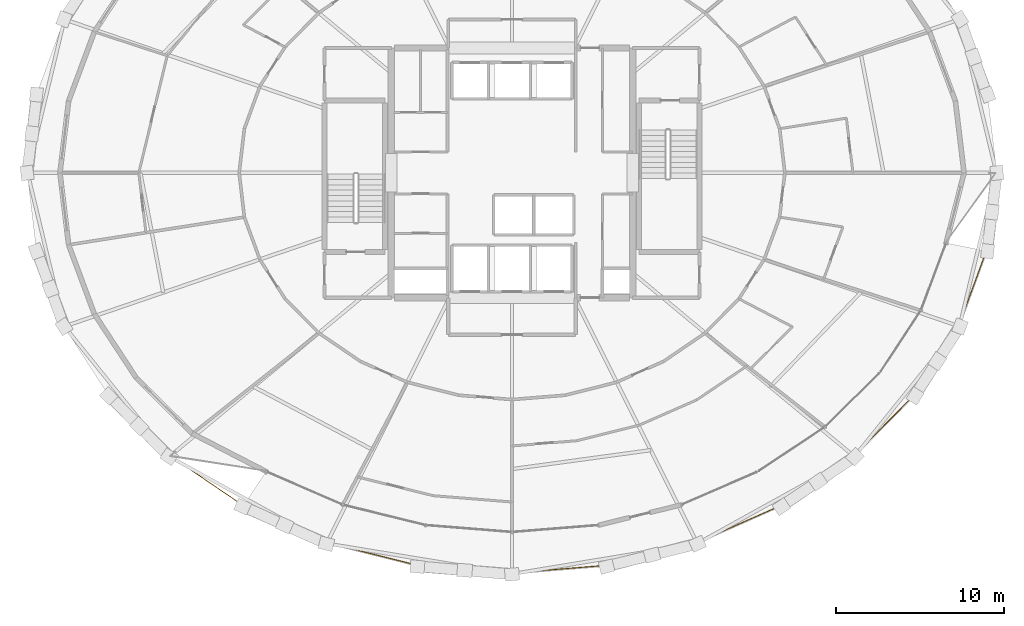
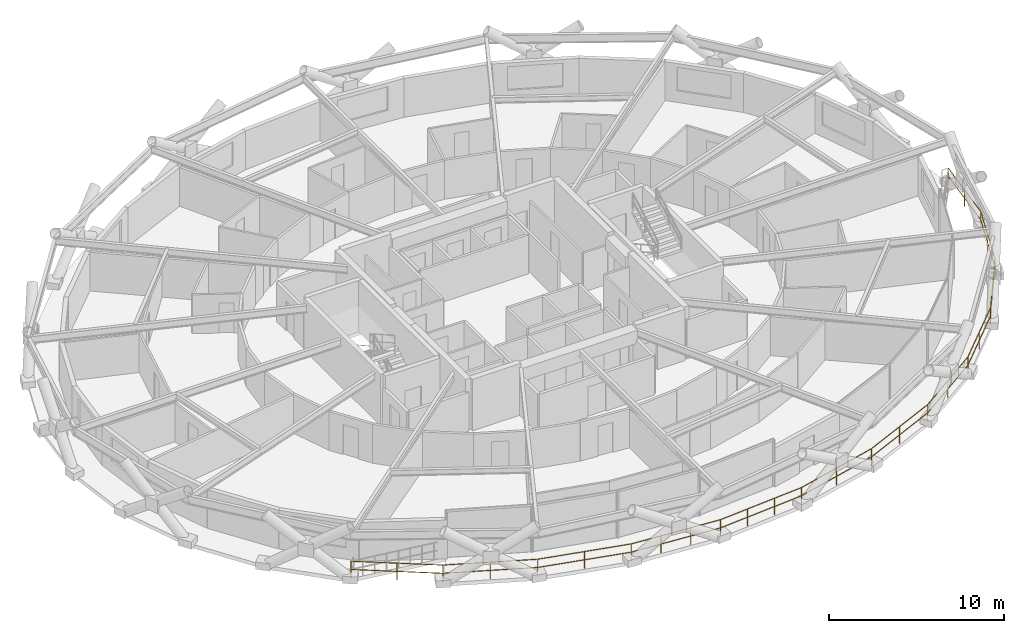
# One storey, part 20 of 21: 1 railing.
"""IFC4 building model written with IfcOpenShell, lengths in metres."""

from ifc_helpers import new_model, si_unit, direction, frame, origin, origin_2d, place, context, subcontext, project, spatial, circle, extrude, material, type_object, element, save


model = new_model("IFC4")

# Units and contexts
model_context = context("Model", 3, precision=1e-05, world=origin(), true_north=direction((0.0, 1.0)))
body_context = subcontext(model_context, "Body", "Model", "MODEL_VIEW")
ifc_project = project(units=[si_unit("LENGTHUNIT", "METRE"), si_unit("AREAUNIT", "SQUARE_METRE"), si_unit("VOLUMEUNIT", "CUBIC_METRE"), si_unit("PLANEANGLEUNIT", "RADIAN"), si_unit("MASSUNIT", "GRAM", prefix="KILO")], contexts=[model_context])

# Site, building, storey
site_placement = place(None, origin())
site = spatial("IfcSite", under=ifc_project, at=site_placement, CompositionType="ELEMENT")
building_placement = place(site_placement, origin())
building = spatial("IfcBuilding", under=site, at=building_placement, Name="Veldorina Hangang Commons", CompositionType="ELEMENT")
storey_placement = place(building_placement, frame((0.0, 0.0, 91.60009765625)))
storey = spatial("IfcBuildingStorey", under=building, at=storey_placement, Name="L23", CompositionType="ELEMENT", Elevation=91.60009765625)

# Railing
ifc_material = material(Name="Glass Laminated Safety Balustrade", Category="glass")
railing_type = type_object("IfcRailingType", Name="RL-BAL-LOGGIA", PredefinedType="BALUSTRADE", material=ifc_material)
railing_placement = place(storey_placement, frame((11.611083984375, 7.119384765625, 0.0)))
element("IfcRailing", 1, at=railing_placement, inside=storey, type_object=railing_type, Name="L23 sky-garden loggia outer balustrade", PredefinedType="BALUSTRADE", context=body_context, shape_type="SweptSolid", body=[
    extrude(circle(Radius=0.02392578125, at=origin_2d()), frame((0.0, 0.0, 1.17578125), z_axis=(0.827450467188, -0.561538711355, 0.0), x_axis=(0.561538711355, 0.827450467188, 0.0)), (0.0, 0.0, 1.0), 5.282958984375),
    extrude(circle(Radius=0.02392578125, at=origin_2d()), frame((0.0, 0.0, 0.60009765625), z_axis=(0.827450467188, -0.561538711355, 0.0), x_axis=(0.561538711355, 0.827450467188, 0.0)), (0.0, 0.0, 1.0), 5.282958984375),
    extrude(circle(Radius=0.02392578125, at=origin_2d()), frame((4.371337890625, -2.966552734375, 1.17578125), z_axis=(0.914640775393, -0.404267550007, 0.0), x_axis=(0.404267550007, 0.914640775393, 0.0)), (0.0, 0.0, 1.0), 5.450927734375),
    extrude(circle(Radius=0.02392578125, at=origin_2d()), frame((4.371337890625, -2.966552734375, 0.60009765625), z_axis=(0.914640775393, -0.404267550007, 0.0), x_axis=(0.404267550007, 0.914640775393, 0.0)), (0.0, 0.0, 1.0), 5.450927734375),
    extrude(circle(Radius=0.02392578125, at=origin_2d()), frame((9.35693359375, -5.170166015625, 1.17578125), z_axis=(0.96996969007, -0.24322582171, 0.0), x_axis=(0.24322582171, 0.96996969007, 0.0)), (0.0, 0.0, 1.0), 5.575927734375),
    extrude(circle(Radius=0.02392578125, at=origin_2d()), frame((9.35693359375, -5.170166015625, 0.60009765625), z_axis=(0.96996969007, -0.24322582171, 0.0), x_axis=(0.24322582171, 0.96996969007, 0.0)), (0.0, 0.0, 1.0), 5.575927734375),
    extrude(circle(Radius=0.02392578125, at=origin_2d()), frame((14.765380859375, -6.5263671875, 1.17578125), z_axis=(0.996699779955, -0.08117603487, 0.0), x_axis=(0.08117603487, 0.996699779955, 0.0)), (0.0, 0.0, 1.0), 5.64208984375),
    extrude(circle(Radius=0.02392578125, at=origin_2d()), frame((14.765380859375, -6.5263671875, 0.60009765625), z_axis=(0.996699779955, -0.08117603487, 0.0), x_axis=(0.08117603487, 0.996699779955, 0.0)), (0.0, 0.0, 1.0), 5.64208984375),
    extrude(circle(Radius=0.02392578125, at=origin_2d()), frame((20.388916015625, -6.984375, 1.17578125), z_axis=(0.996699779955, 0.08117603487, 0.0), x_axis=(-0.08117603487, 0.996699779955, 0.0)), (0.0, 0.0, 1.0), 5.64208984375),
    extrude(circle(Radius=0.02392578125, at=origin_2d()), frame((20.388916015625, -6.984375, 0.60009765625), z_axis=(0.996699779955, 0.08117603487, 0.0), x_axis=(-0.08117603487, 0.996699779955, 0.0)), (0.0, 0.0, 1.0), 5.64208984375),
    extrude(circle(Radius=0.02392578125, at=origin_2d()), frame((26.012451171875, -6.5263671875, 1.17578125), z_axis=(0.96996969007, 0.24322582171, 0.0), x_axis=(-0.24322582171, 0.96996969007, 0.0)), (0.0, 0.0, 1.0), 5.575927734375),
    extrude(circle(Radius=0.02392578125, at=origin_2d()), frame((26.012451171875, -6.5263671875, 0.60009765625), z_axis=(0.96996969007, 0.24322582171, 0.0), x_axis=(-0.24322582171, 0.96996969007, 0.0)), (0.0, 0.0, 1.0), 5.575927734375),
    extrude(circle(Radius=0.02392578125, at=origin_2d()), frame((31.4208984375, -5.170166015625, 1.17578125), z_axis=(0.914640775393, 0.404267550007, 0.0), x_axis=(-0.404267550007, 0.914640775393, 0.0)), (0.0, 0.0, 1.0), 5.450927734375),
    extrude(circle(Radius=0.02392578125, at=origin_2d()), frame((31.4208984375, -5.170166015625, 0.60009765625), z_axis=(0.914640775393, 0.404267550007, 0.0), x_axis=(-0.404267550007, 0.914640775393, 0.0)), (0.0, 0.0, 1.0), 5.450927734375),
    extrude(circle(Radius=0.02392578125, at=origin_2d()), frame((36.406494140625, -2.966552734375, 1.17578125), z_axis=(0.827450467188, 0.561538711355, 0.0), x_axis=(-0.561538711355, 0.827450467188, 0.0)), (0.0, 0.0, 1.0), 5.282958984375),
    extrude(circle(Radius=0.02392578125, at=origin_2d()), frame((36.406494140625, -2.966552734375, 0.60009765625), z_axis=(0.827450467188, 0.561538711355, 0.0), x_axis=(-0.561538711355, 0.827450467188, 0.0)), (0.0, 0.0, 1.0), 5.282958984375),
    extrude(circle(Radius=0.02392578125, at=origin_2d()), frame((40.77783203125, 0.0, 1.17578125), z_axis=(0.704369903101, 0.709833106867, 0.0), x_axis=(-0.709833106867, 0.704369903101, 0.0)), (0.0, 0.0, 1.0), 5.094482421875),
    extrude(circle(Radius=0.02392578125, at=origin_2d()), frame((40.77783203125, 0.0, 0.60009765625), z_axis=(0.704369903101, 0.709833106867, 0.0), x_axis=(-0.709833106867, 0.704369903101, 0.0)), (0.0, 0.0, 1.0), 5.094482421875),
    extrude(circle(Radius=0.02392578125, at=origin_2d()), frame((44.3662109375, 3.6162109375, 1.17578125), z_axis=(0.54276499574, 0.839884610765, 0.0), x_axis=(-0.839884610765, 0.54276499574, 0.0)), (0.0, 0.0, 1.0), 4.913818359375),
    extrude(circle(Radius=0.02392578125, at=origin_2d()), frame((44.3662109375, 3.6162109375, 0.60009765625), z_axis=(0.54276499574, 0.839884610765, 0.0), x_axis=(-0.839884610765, 0.54276499574, 0.0)), (0.0, 0.0, 1.0), 4.913818359375),
    extrude(circle(Radius=0.02392578125, at=origin_2d()), frame((47.033203125, 7.7431640625, 1.17578125), z_axis=(0.344305773581, 0.938857568686, 0.0), x_axis=(-0.938857568686, 0.344305773581, 0.0)), (0.0, 0.0, 1.0), 4.770751953125),
    extrude(circle(Radius=0.02392578125, at=origin_2d()), frame((47.033203125, 7.7431640625, 0.60009765625), z_axis=(0.344305773581, 0.938857568686, 0.0), x_axis=(-0.938857568686, 0.344305773581, 0.0)), (0.0, 0.0, 1.0), 4.770751953125),
    extrude(circle(Radius=0.02392578125, at=origin_2d()), frame((48.67578125, 12.22216796875, 1.17578125), z_axis=(0.118236102916, 0.992985510452, 0.0), x_axis=(-0.992985510452, 0.118236102916, 0.0)), (0.0, 0.0, 1.0), 4.69140625),
    extrude(circle(Radius=0.02392578125, at=origin_2d()), frame((48.67578125, 12.22216796875, 0.60009765625), z_axis=(0.118236102916, 0.992985510452, 0.0), x_axis=(-0.992985510452, 0.118236102916, 0.0)), (0.0, 0.0, 1.0), 4.69140625),
    extrude(circle(Radius=0.02099609375, at=origin_2d()), origin(), (0.0, 0.0, 1.0), 1.15185546875),
    extrude(circle(Radius=0.02099609375, at=origin_2d()), frame((2.185546875, -1.4833984375, 0.0)), (0.0, 0.0, 1.0), 1.15185546875),
    extrude(circle(Radius=0.02099609375, at=origin_2d()), frame((4.371337890625, -2.966552734375, 0.0)), (0.0, 0.0, 1.0), 1.15185546875),
    extrude(circle(Radius=0.02099609375, at=origin_2d()), frame((6.8642578125, -4.068359375, 0.0)), (0.0, 0.0, 1.0), 1.15185546875),
    extrude(circle(Radius=0.02099609375, at=origin_2d()), frame((9.35693359375, -5.170166015625, 0.0)), (0.0, 0.0, 1.0), 1.15185546875),
    extrude(circle(Radius=0.02099609375, at=origin_2d()), frame((12.06103515625, -5.84814453125, 0.0)), (0.0, 0.0, 1.0), 1.15185546875),
    extrude(circle(Radius=0.02099609375, at=origin_2d()), frame((14.765380859375, -6.5263671875, 0.0)), (0.0, 0.0, 1.0), 1.15185546875),
    extrude(circle(Radius=0.02099609375, at=origin_2d()), frame((16.639892578125, -6.678955078125, 0.0)), (0.0, 0.0, 1.0), 1.15185546875),
    extrude(circle(Radius=0.02099609375, at=origin_2d()), frame((18.514404296875, -6.831787109375, 0.0)), (0.0, 0.0, 1.0), 1.15185546875),
    extrude(circle(Radius=0.02099609375, at=origin_2d()), frame((20.388916015625, -6.984375, 0.0)), (0.0, 0.0, 1.0), 1.15185546875),
    extrude(circle(Radius=0.02099609375, at=origin_2d()), frame((22.263427734375, -6.831787109375, 0.0)), (0.0, 0.0, 1.0), 1.15185546875),
    extrude(circle(Radius=0.02099609375, at=origin_2d()), frame((24.137939453125, -6.678955078125, 0.0)), (0.0, 0.0, 1.0), 1.15185546875),
    extrude(circle(Radius=0.02099609375, at=origin_2d()), frame((26.012451171875, -6.5263671875, 0.0)), (0.0, 0.0, 1.0), 1.15185546875),
    extrude(circle(Radius=0.02099609375, at=origin_2d()), frame((28.716796875, -5.84814453125, 0.0)), (0.0, 0.0, 1.0), 1.15185546875),
    extrude(circle(Radius=0.02099609375, at=origin_2d()), frame((31.4208984375, -5.170166015625, 0.0)), (0.0, 0.0, 1.0), 1.15185546875),
    extrude(circle(Radius=0.02099609375, at=origin_2d()), frame((33.91357421875, -4.068359375, 0.0)), (0.0, 0.0, 1.0), 1.15185546875),
    extrude(circle(Radius=0.02099609375, at=origin_2d()), frame((36.406494140625, -2.966552734375, 0.0)), (0.0, 0.0, 1.0), 1.15185546875),
    extrude(circle(Radius=0.02099609375, at=origin_2d()), frame((38.59228515625, -1.4833984375, 0.0)), (0.0, 0.0, 1.0), 1.15185546875),
    extrude(circle(Radius=0.02099609375, at=origin_2d()), frame((40.77783203125, 0.0, 0.0)), (0.0, 0.0, 1.0), 1.15185546875),
    extrude(circle(Radius=0.02099609375, at=origin_2d()), frame((42.572021484375, 1.80810546875, 0.0)), (0.0, 0.0, 1.0), 1.15185546875),
    extrude(circle(Radius=0.02099609375, at=origin_2d()), frame((44.3662109375, 3.6162109375, 0.0)), (0.0, 0.0, 1.0), 1.15185546875),
    extrude(circle(Radius=0.02099609375, at=origin_2d()), frame((45.69970703125, 5.6796875, 0.0)), (0.0, 0.0, 1.0), 1.15185546875),
    extrude(circle(Radius=0.02099609375, at=origin_2d()), frame((47.033203125, 7.7431640625, 0.0)), (0.0, 0.0, 1.0), 1.15185546875),
    extrude(circle(Radius=0.02099609375, at=origin_2d()), frame((47.8544921875, 9.982666015625, 0.0)), (0.0, 0.0, 1.0), 1.15185546875),
    extrude(circle(Radius=0.02099609375, at=origin_2d()), frame((48.67578125, 12.22216796875, 0.0)), (0.0, 0.0, 1.0), 1.15185546875),
    extrude(circle(Radius=0.02099609375, at=origin_2d()), frame((48.953125, 14.55126953125, 0.0)), (0.0, 0.0, 1.0), 1.15185546875),
    extrude(circle(Radius=0.02099609375, at=origin_2d()), frame((49.23046875, 16.880615234375, 0.0)), (0.0, 0.0, 1.0), 1.15185546875),
])

save(model, "model.ifc")
